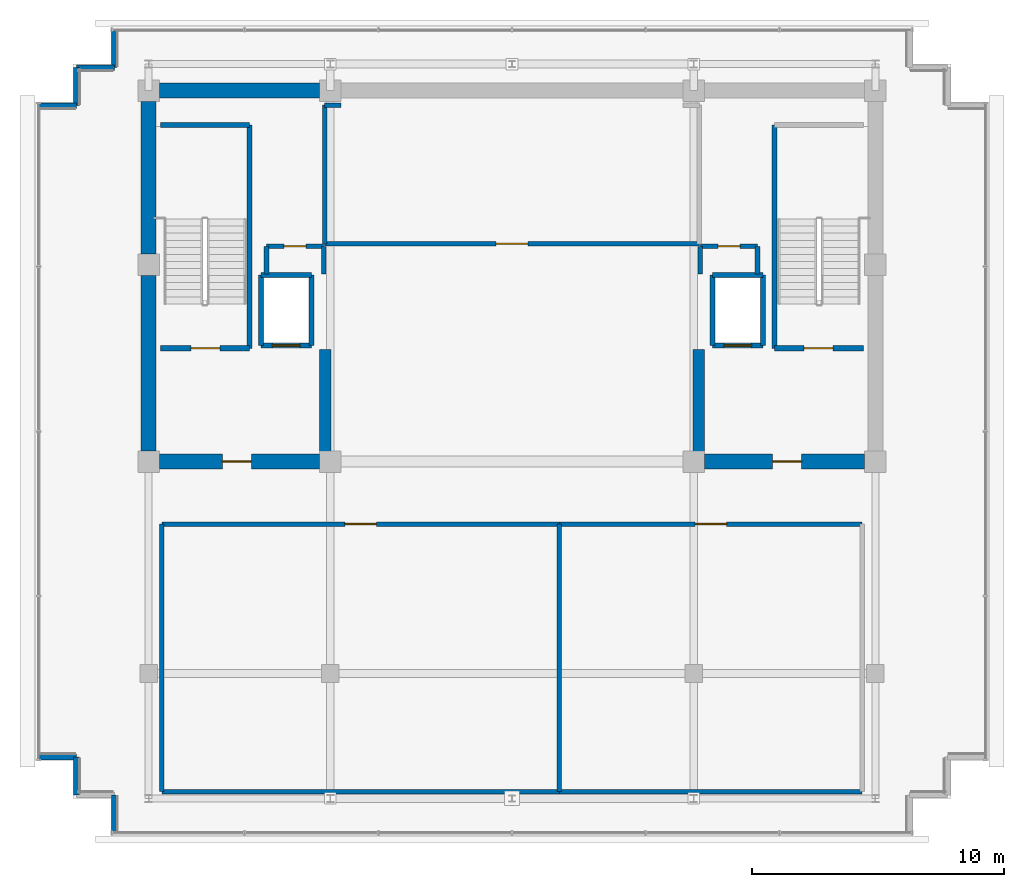
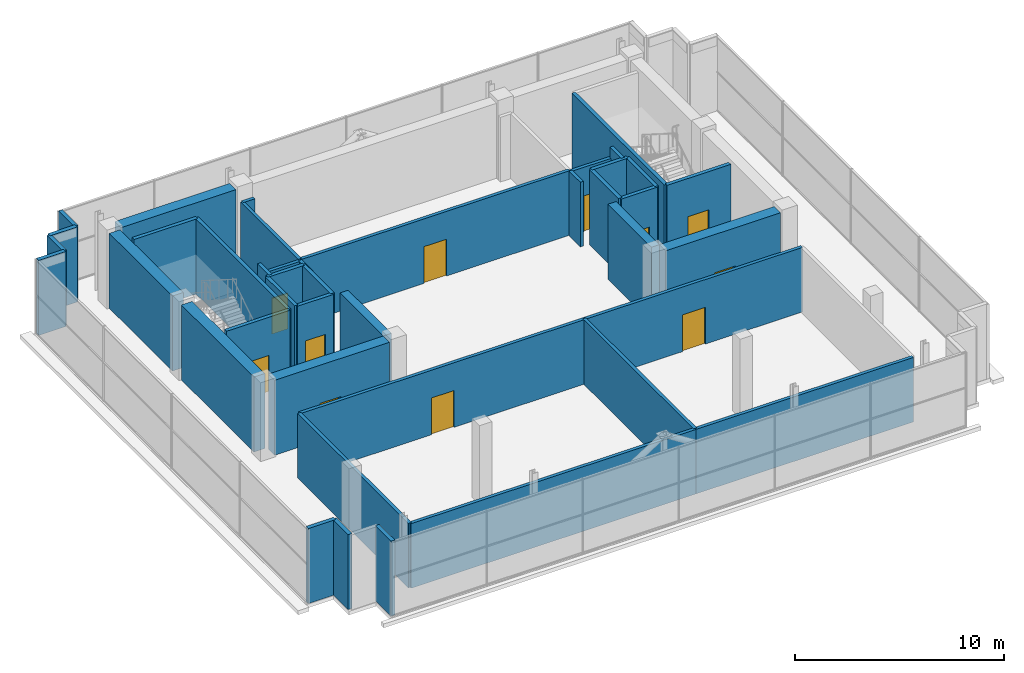
# One storey, part 23 of 26: 42 walls, 11 doors, 11 openings.
"""IFC4 building model written with IfcOpenShell, lengths in metres."""

from ifc_helpers import new_model, si_unit, direction, frame, frame_2d, origin, place, context, subcontext, project, spatial, rectangle, extrude, source, transform, mapped, material, layer, layer_set, type_object, element, fill, save


model = new_model("IFC4")

# Units and contexts
model_context = context("Model", 3, precision=1e-05, world=origin(), true_north=direction((0.0, 1.0)))
body_context = subcontext(model_context, "Body", "Model", "MODEL_VIEW")
ifc_project = project(units=[si_unit("LENGTHUNIT", "METRE"), si_unit("AREAUNIT", "SQUARE_METRE"), si_unit("VOLUMEUNIT", "CUBIC_METRE"), si_unit("PLANEANGLEUNIT", "RADIAN"), si_unit("MASSUNIT", "GRAM", prefix="KILO")], contexts=[model_context])

# Site, building, storey
site_placement = place(None, origin())
site = spatial("IfcSite", under=ifc_project, at=site_placement, CompositionType="ELEMENT")
building_placement = place(site_placement, origin())
building = spatial("IfcBuilding", under=site, at=building_placement, Name="Zarnakvel Exchange Tower", CompositionType="ELEMENT")
storey_placement = place(building_placement, frame((0.0, 0.0, 285.39990234375)))
storey = spatial("IfcBuildingStorey", under=building, at=storey_placement, Name="Crown L80", CompositionType="ELEMENT", Elevation=285.39990234375)

# Walls
ifc_material_1 = material(Name="Concrete C50/60", Category="concrete")
ifc_layer_1 = layer(ifc_material_1, 0.60009765625)
ifc_layer_set_1 = layer_set([ifc_layer_1], Name="Concrete C50/60")
wall_type_1 = type_object("IfcWallType", Name="CW-C5", PredefinedType="SHEAR", material=ifc_layer_set_1)
wall_1_placement = place(storey_placement, frame((-13.97509765625, 13.5, 0.0), z_axis=(0.0, 0.0, 1.0), x_axis=(1.0, 0.0, 0.0)))
element("IfcWall", 1, at=wall_1_placement, inside=storey, type_object=wall_type_1, Name="Crown L80 Rear Core Shear Wall N1 (CW-C5)", PredefinedType="SHEAR", context=body_context, shape_type="SweptSolid", body=[
    extrude(rectangle(XDim=6.35009765625, YDim=0.60009765625, at=frame_2d((3.175048828125, 0.0))), origin(), (0.0, 0.0, 1.0), 4.380126953125),
])
wall_2_placement = place(storey_placement, frame((-14.39990234375, -0.77490234375, 0.0), z_axis=(0.0, 0.0, 1.0), x_axis=(0.0, 1.0, 0.0)))
element("IfcWall", 2, at=wall_2_placement, inside=storey, type_object=wall_type_1, Name="Crown L80 Rear Core Shear Wall W1 (CW-C5)", PredefinedType="SHEAR", context=body_context, shape_type="SweptSolid", body=[
    extrude(rectangle(XDim=6.949951171875, YDim=0.60009765625, at=frame_2d((3.47509765625, 0.0))), origin(), (0.0, 0.0, 1.0), 4.380126953125),
])
wall_3_placement = place(storey_placement, frame((-14.39990234375, 7.02490234375, 0.0), z_axis=(0.0, 0.0, 1.0), x_axis=(0.0, 1.0, 0.0)))
element("IfcWall", 3, at=wall_3_placement, inside=storey, type_object=wall_type_1, Name="Crown L80 Rear Core Shear Wall W2 (CW-C5)", PredefinedType="SHEAR", context=body_context, shape_type="SweptSolid", body=[
    extrude(rectangle(XDim=6.050048828125, YDim=0.60009765625, at=frame_2d((3.02490234375, 0.0))), origin(), (0.0, 0.0, 1.0), 4.380126953125),
])

# Wall, opening, door
wall_4_placement = place(storey_placement, frame((-7.625, -1.199951171875, 0.0), z_axis=(0.0, 0.0, 1.0), x_axis=(-1.0, 0.0, 0.0)))
wall_4 = element("IfcWall", 4, at=wall_4_placement, inside=storey, type_object=wall_type_1, Name="Crown L80 Rear Core Shear Wall SW (CW-C5)", PredefinedType="SHEAR", context=body_context, shape_type="SweptSolid", body=[
    extrude(rectangle(XDim=6.35009765625, YDim=0.60009765625, at=frame_2d((3.175048828125, 0.0))), origin(), (0.0, 0.0, 1.0), 4.380126953125),
])
opening_1_placement = place(wall_4_placement, frame((2.699951171875, 0.0, 0.0)))
opening_1 = element("IfcOpeningElement", 5, at=opening_1_placement, cuts=wall_4, Name="Opening D-Crown L80-03", PredefinedType="OPENING", context=body_context, shape_type="SweptSolid", body=[
    extrude(rectangle(XDim=1.14990234375, YDim=2.14990234375, at=frame_2d((0.574951171875, 1.074951171875))), frame((0.0, 0.31005859375, 0.0), z_axis=(0.0, -1.0, 0.0), x_axis=(1.0, 0.0, 0.0)), (0.0, 0.0, 1.0), 0.6201171875),
])
ifc_material_2 = material(Name="Painted Galvanised Steel S355", Category="steel")
door_type_1 = type_object("IfcDoorType", Name="DT-04", OperationType="NOTDEFINED", PredefinedType="DOOR", material=ifc_material_2)
shared_shape_1 = source(origin(), body_context, "Body", "SweptSolid", [
    extrude(rectangle(XDim=1.14990234375, YDim=2.14990234375, at=frame_2d((0.574951171875, 1.074951171875))), frame((0.0, 0.02490234375, 0.0), z_axis=(0.0, -1.0, 0.0), x_axis=(1.0, 0.0, 0.0)), (0.0, 0.0, 1.0), 0.050048828125),
])
door_1_placement = place(opening_1_placement, origin())
door_1 = element("IfcDoor", 6, at=door_1_placement, inside=storey, type_object=door_type_1, Name="Crown L80 Firefighting Lobby West Door D-Crown L80-03", OperationType="SINGLE_SWING_RIGHT", OverallHeight=2.14990234375, OverallWidth=1.14990234375, PredefinedType="DOOR", context=body_context, shape_type="MappedRepresentation", body=[
    mapped(shared_shape_1, transform((0.0, 0.0, 0.0), x_axis=(1.0, 0.0, 0.0), y_axis=(0.0, 1.0, 0.0), z_axis=(0.0, 0.0, 1.0), scale=1.0)),
])
fill(opening_1, door_1)

wall_5_placement = place(storey_placement, frame((13.97509765625, -1.199951171875, 0.0), z_axis=(0.0, 0.0, 1.0), x_axis=(-1.0, 0.0, 0.0)))
wall_5 = element("IfcWall", 7, at=wall_5_placement, inside=storey, type_object=wall_type_1, Name="Crown L80 Rear Core Shear Wall SE (CW-C5)", PredefinedType="SHEAR", context=body_context, shape_type="SweptSolid", body=[
    extrude(rectangle(XDim=6.35009765625, YDim=0.60009765625, at=frame_2d((3.175048828125, 0.0))), origin(), (0.0, 0.0, 1.0), 4.380126953125),
])
opening_2_placement = place(wall_5_placement, frame((2.5, 0.0, 0.0)))
opening_2 = element("IfcOpeningElement", 8, at=opening_2_placement, cuts=wall_5, Name="Opening D-Crown L80-04", PredefinedType="OPENING", context=body_context, shape_type="SweptSolid", body=[
    extrude(rectangle(XDim=1.14990234375, YDim=2.14990234375, at=frame_2d((0.574951171875, 1.074951171875))), frame((0.0, 0.31005859375, 0.0), z_axis=(0.0, -1.0, 0.0), x_axis=(1.0, 0.0, 0.0)), (0.0, 0.0, 1.0), 0.6201171875),
])
door_2_placement = place(opening_2_placement, origin())
door_2 = element("IfcDoor", 9, at=door_2_placement, inside=storey, type_object=door_type_1, Name="Crown L80 Firefighting Lobby East Door D-Crown L80-04", OperationType="SINGLE_SWING_LEFT", OverallHeight=2.14990234375, OverallWidth=1.14990234375, PredefinedType="DOOR", context=body_context, shape_type="MappedRepresentation", body=[
    mapped(shared_shape_1, transform((0.0, 0.0, 0.0), x_axis=(1.0, 0.0, 0.0), y_axis=(0.0, 1.0, 0.0), z_axis=(0.0, 0.0, 1.0), scale=1.0)),
])
fill(opening_2, door_2)

# Walls
ifc_layer_2 = layer(ifc_material_1, 0.449951171875)
ifc_layer_set_2 = layer_set([ifc_layer_2], Name="Concrete C50/60")
wall_type_2 = type_object("IfcWallType", Name="CW-C6", PredefinedType="SHEAR", material=ifc_layer_set_2)
for number, where, z_axis, x_axis, name in (
    (10, (-7.39990234375, -0.89990234375, 0.0), (0.0, 0.0, 1.0), (0.0, 1.0, 0.0), "Crown L80 Rear Core Shear Wall IW (CW-C6)"),
    (11, (7.39990234375, -0.89990234375, 0.0), (0.0, 0.0, 1.0), (0.0, 1.0, 0.0), "Crown L80 Rear Core Shear Wall IE (CW-C6)"),
):
    element("IfcWall", number, at=place(storey_placement, frame(where, z_axis=z_axis, x_axis=x_axis)), inside=storey, type_object=wall_type_2, Name=name, PredefinedType="SHEAR", context=body_context, shape_type="SweptSolid", body=[
        extrude(rectangle(XDim=4.14990234375, YDim=0.449951171875, at=frame_2d((2.074951171875, 0.0))), origin(), (0.0, 0.0, 1.0), 4.380126953125),
    ])
ifc_material_3 = material(Name="Precast concrete C40/50", Category="concrete")
ifc_layer_3 = layer(ifc_material_3, 0.219970703125)
ifc_layer_set_3 = layer_set([ifc_layer_3], Name="Precast concrete C40/50")
wall_type_3 = type_object("IfcWallType", Name="EW-03", PredefinedType="SOLIDWALL", material=ifc_layer_set_3)
for number, where, z_axis, x_axis, name in (
    (12, (-17.260009765625, 12.909912109375, 0.0), (0.0, 0.0, 1.0), (-1.0, 0.0, 0.0), "Crown L80 Exterior Precast Spandrel Wall EW-Crown L80-C02 (EW-03)"),
    (13, (-17.260009765625, 14.409912109375, 0.0), (0.0, 0.0, 1.0), (0.0, -1.0, 0.0), "Crown L80 Exterior Precast Spandrel Wall EW-Crown L80-C03 (EW-03)"),
    (14, (-15.760009765625, 14.409912109375, 0.0), (0.0, 0.0, 1.0), (-1.0, 0.0, 0.0), "Crown L80 Exterior Precast Spandrel Wall EW-Crown L80-C04 (EW-03)"),
    (15, (-15.760009765625, 15.909912109375, 0.0), (0.0, 0.0, 1.0), (0.0, -1.0, 0.0), "Crown L80 Exterior Precast Spandrel Wall EW-Crown L80-C05 (EW-03)"),
    (16, (-15.760009765625, -14.409912109375, 0.0), (0.0, 0.0, 1.0), (0.0, -1.0, 0.0), "Crown L80 Exterior Precast Spandrel Wall EW-Crown L80-C17 (EW-03)"),
    (17, (-17.260009765625, -12.909912109375, 0.0), (0.0, 0.0, 1.0), (0.0, -1.0, 0.0), "Crown L80 Exterior Precast Spandrel Wall EW-Crown L80-C19 (EW-03)"),
    (18, (-18.760009765625, -12.909912109375, 0.0), (0.0, 0.0, 1.0), (1.0, 0.0, 0.0), "Crown L80 Exterior Precast Spandrel Wall EW-Crown L80-C20 (EW-03)"),
):
    element("IfcWall", number, at=place(storey_placement, frame(where, z_axis=z_axis, x_axis=x_axis)), inside=storey, type_object=wall_type_3, Name=name, PredefinedType="SOLIDWALL", context=body_context, shape_type="SweptSolid", body=[
        extrude(rectangle(XDim=1.5, YDim=0.219970703125, at=frame_2d((0.75, 0.0))), origin(), (0.0, 0.0, 1.0), 4.380126953125),
    ])

# Wall, opening, door
ifc_material_4 = material(Name="Fire-Rated Gypsum Stud Partition", Category="gypsum")
ifc_layer_4 = layer(ifc_material_4, 0.179931640625)
ifc_layer_set_4 = layer_set([ifc_layer_4], Name="Fire-Rated Gypsum Stud Partition")
wall_type_4 = type_object("IfcWallType", Name="PT-02", PredefinedType="PARTITIONING", material=ifc_layer_set_4)
wall_6_placement = place(storey_placement, frame((7.429931640625, 7.429931640625, 0.0), z_axis=(0.0, 0.0, 1.0), x_axis=(-1.0, 0.0, 0.0)))
wall_6 = element("IfcWall", 19, at=wall_6_placement, inside=storey, type_object=wall_type_4, Name="Crown L80 Partition Wall PWALL-Crown L80-007 (PT-02)", PredefinedType="PARTITIONING", context=body_context, shape_type="SweptSolid", body=[
    extrude(rectangle(XDim=14.85986328125, YDim=0.179931640625, at=frame_2d((7.429931640625, 0.0))), origin(), (0.0, 0.0, 1.0), 3.77001953125),
])
opening_3_placement = place(wall_6_placement, frame((6.804931640625, 0.0, 0.0)))
opening_3 = element("IfcOpeningElement", 20, at=opening_3_placement, cuts=wall_6, Name="Opening D-Crown L80-05", PredefinedType="OPENING", context=body_context, shape_type="SweptSolid", body=[
    extrude(rectangle(XDim=1.25, YDim=2.14990234375, at=frame_2d((0.625, 1.074951171875))), frame((0.0, 0.099853515625, 0.0), z_axis=(0.0, -1.0, 0.0), x_axis=(1.0, 0.0, 0.0)), (0.0, 0.0, 1.0), 0.199951171875),
])
door_type_2 = type_object("IfcDoorType", Name="DT-06", OperationType="NOTDEFINED", PredefinedType="DOOR", material=ifc_material_2)
shared_shape_2 = source(origin(), body_context, "Body", "SweptSolid", [
    extrude(rectangle(XDim=1.25, YDim=2.14990234375, at=frame_2d((0.625, 1.074951171875))), frame((0.0, 0.02490234375, 0.0), z_axis=(0.0, -1.0, 0.0), x_axis=(1.0, 0.0, 0.0)), (0.0, 0.0, 1.0), 0.050048828125),
])
door_3_placement = place(opening_3_placement, origin())
door_3 = element("IfcDoor", 21, at=door_3_placement, inside=storey, type_object=door_type_2, Name="Crown L80 High-Rise Lift Machine Room Door D-Crown L80-05", OperationType="SINGLE_SWING_RIGHT", OverallHeight=2.14990234375, OverallWidth=1.25, PredefinedType="DOOR", context=body_context, shape_type="MappedRepresentation", body=[
    mapped(shared_shape_2, transform((0.0, 0.0, 0.0), x_axis=(1.0, 0.0, 0.0), y_axis=(0.0, 1.0, 0.0), z_axis=(0.0, 0.0, 1.0), scale=1.0)),
])
fill(opening_3, door_3)

# Walls
wall_7_placement = place(storey_placement, frame((-7.429931640625, 12.929931640625, 0.0), z_axis=(0.0, 0.0, 1.0), x_axis=(1.0, 0.0, 0.0)))
element("IfcWall", 22, at=wall_7_placement, inside=storey, type_object=wall_type_4, Name="Crown L80 Partition Wall PWALL-Crown L80-008 (PT-02)", PredefinedType="PARTITIONING", context=body_context, shape_type="SweptSolid", body=[
    extrude(rectangle(XDim=0.655029296875, YDim=0.179931640625, at=frame_2d((0.32763671875, 0.0))), origin(), (0.0, 0.0, 1.0), 3.77001953125),
])
wall_8_placement = place(storey_placement, frame((-7.429931640625, 7.429931640625, 0.0), z_axis=(0.0, 0.0, 1.0), x_axis=(0.0, 1.0, 0.0)))
element("IfcWall", 23, at=wall_8_placement, inside=storey, type_object=wall_type_4, Name="Crown L80 Partition Wall PWALL-Crown L80-010 (PT-02)", PredefinedType="PARTITIONING", context=body_context, shape_type="SweptSolid", body=[
    extrude(rectangle(XDim=5.5, YDim=0.179931640625, at=frame_2d((2.75, 0.0))), origin(), (0.0, 0.0, 1.0), 3.77001953125),
])

# Wall, opening, door
wall_9_placement = place(storey_placement, frame((-9.72998046875, 7.330078125, 0.0), z_axis=(0.0, 0.0, 1.0), x_axis=(1.0, 0.0, 0.0)))
wall_9 = element("IfcWall", 24, at=wall_9_placement, inside=storey, type_object=wall_type_4, Name="Crown L80 Partition Wall PWALL-Crown L80-012 (PT-02)", PredefinedType="PARTITIONING", context=body_context, shape_type="SweptSolid", body=[
    extrude(rectangle(XDim=2.260009765625, YDim=0.179931640625, at=frame_2d((1.1298828125, 0.0))), origin(), (0.0, 0.0, 1.0), 3.77001953125),
])
opening_4_placement = place(wall_9_placement, frame((0.68994140625, 0.0, 0.0)))
opening_4 = element("IfcOpeningElement", 25, at=opening_4_placement, cuts=wall_9, Name="Opening D-Crown L80-08", PredefinedType="OPENING", context=body_context, shape_type="SweptSolid", body=[
    extrude(rectangle(XDim=0.8798828125, YDim=2.10009765625, at=frame_2d((0.43994140625, 1.050048828125))), frame((0.0, 0.099853515625, 0.0), z_axis=(0.0, -1.0, 0.0), x_axis=(1.0, 0.0, 0.0)), (0.0, 0.0, 1.0), 0.199951171875),
])
door_type_3 = type_object("IfcDoorType", Name="DT-08", OperationType="NOTDEFINED", PredefinedType="DOOR", material=ifc_material_2)
shared_shape_3 = source(origin(), body_context, "Body", "SweptSolid", [
    extrude(rectangle(XDim=0.8798828125, YDim=2.10009765625, at=frame_2d((0.43994140625, 1.050048828125))), frame((0.0, 0.02490234375, 0.0), z_axis=(0.0, -1.0, 0.0), x_axis=(1.0, 0.0, 0.0)), (0.0, 0.0, 1.0), 0.050048828125),
])
door_4_placement = place(opening_4_placement, origin())
door_4 = element("IfcDoor", 26, at=door_4_placement, inside=storey, type_object=door_type_3, Name="Crown L80 Electrical Riser Door D-Crown L80-08", OperationType="SINGLE_SWING_LEFT", OverallHeight=2.10009765625, OverallWidth=0.8798828125, PredefinedType="DOOR", context=body_context, shape_type="MappedRepresentation", body=[
    mapped(shared_shape_3, transform((0.0, 0.0, 0.0), x_axis=(1.0, 0.0, 0.0), y_axis=(0.0, 1.0, 0.0), z_axis=(0.0, 0.0, 1.0), scale=1.0)),
])
fill(opening_4, door_4)

# Walls
wall_10_placement = place(storey_placement, frame((-9.72998046875, 6.239990234375, 0.0), z_axis=(0.0, 0.0, 1.0), x_axis=(0.0, 1.0, 0.0)))
element("IfcWall", 27, at=wall_10_placement, inside=storey, type_object=wall_type_4, Name="Crown L80 Partition Wall PWALL-Crown L80-013 (PT-02)", PredefinedType="PARTITIONING", context=body_context, shape_type="SweptSolid", body=[
    extrude(rectangle(XDim=1.090087890625, YDim=0.179931640625, at=frame_2d((0.544921875, 0.0))), origin(), (0.0, 0.0, 1.0), 4.380126953125),
])
wall_11_placement = place(storey_placement, frame((-7.469970703125, 7.330078125, 0.0), z_axis=(0.0, 0.0, 1.0), x_axis=(0.0, -1.0, 0.0)))
element("IfcWall", 28, at=wall_11_placement, inside=storey, type_object=wall_type_4, Name="Crown L80 Partition Wall PWALL-Crown L80-014 (PT-02)", PredefinedType="PARTITIONING", context=body_context, shape_type="SweptSolid", body=[
    extrude(rectangle(XDim=1.090087890625, YDim=0.179931640625, at=frame_2d((0.544921875, 0.0))), origin(), (0.0, 0.0, 1.0), 3.77001953125),
])

# Wall, opening, door
wall_12_placement = place(storey_placement, frame((7.469970703125, 7.330078125, 0.0), z_axis=(0.0, 0.0, 1.0), x_axis=(1.0, 0.0, 0.0)))
wall_12 = element("IfcWall", 29, at=wall_12_placement, inside=storey, type_object=wall_type_4, Name="Crown L80 Partition Wall PWALL-Crown L80-015 (PT-02)", PredefinedType="PARTITIONING", context=body_context, shape_type="SweptSolid", body=[
    extrude(rectangle(XDim=2.260009765625, YDim=0.179931640625, at=frame_2d((1.1298828125, 0.0))), origin(), (0.0, 0.0, 1.0), 3.77001953125),
])
opening_5_placement = place(wall_12_placement, frame((0.68994140625, 0.0, 0.0)))
opening_5 = element("IfcOpeningElement", 30, at=opening_5_placement, cuts=wall_12, Name="Opening D-Crown L80-09", PredefinedType="OPENING", context=body_context, shape_type="SweptSolid", body=[
    extrude(rectangle(XDim=0.8798828125, YDim=2.10009765625, at=frame_2d((0.43994140625, 1.050048828125))), frame((0.0, 0.099853515625, 0.0), z_axis=(0.0, -1.0, 0.0), x_axis=(1.0, 0.0, 0.0)), (0.0, 0.0, 1.0), 0.199951171875),
])
door_5_placement = place(opening_5_placement, origin())
door_5 = element("IfcDoor", 31, at=door_5_placement, inside=storey, type_object=door_type_3, Name="Crown L80 Telecom Riser Door D-Crown L80-09", OperationType="SINGLE_SWING_RIGHT", OverallHeight=2.10009765625, OverallWidth=0.8798828125, PredefinedType="DOOR", context=body_context, shape_type="MappedRepresentation", body=[
    mapped(shared_shape_3, transform((0.0, 0.0, 0.0), x_axis=(1.0, 0.0, 0.0), y_axis=(0.0, 1.0, 0.0), z_axis=(0.0, 0.0, 1.0), scale=1.0)),
])
fill(opening_5, door_5)

# Walls
wall_13_placement = place(storey_placement, frame((7.469970703125, 6.239990234375, 0.0), z_axis=(0.0, 0.0, 1.0), x_axis=(0.0, 1.0, 0.0)))
element("IfcWall", 32, at=wall_13_placement, inside=storey, type_object=wall_type_4, Name="Crown L80 Partition Wall PWALL-Crown L80-016 (PT-02)", PredefinedType="PARTITIONING", context=body_context, shape_type="SweptSolid", body=[
    extrude(rectangle(XDim=1.090087890625, YDim=0.179931640625, at=frame_2d((0.544921875, 0.0))), origin(), (0.0, 0.0, 1.0), 3.77001953125),
])
wall_14_placement = place(storey_placement, frame((9.72998046875, 7.330078125, 0.0), z_axis=(0.0, 0.0, 1.0), x_axis=(0.0, -1.0, 0.0)))
element("IfcWall", 33, at=wall_14_placement, inside=storey, type_object=wall_type_4, Name="Crown L80 Partition Wall PWALL-Crown L80-017 (PT-02)", PredefinedType="PARTITIONING", context=body_context, shape_type="SweptSolid", body=[
    extrude(rectangle(XDim=1.090087890625, YDim=0.179931640625, at=frame_2d((0.544921875, 0.0))), origin(), (0.0, 0.0, 1.0), 4.380126953125),
])
wall_15_placement = place(storey_placement, frame((1.8798828125, -14.280029296875, 0.0), z_axis=(0.0, 0.0, 1.0), x_axis=(-1.0, 0.0, 0.0)))
element("IfcWall", 34, at=wall_15_placement, inside=storey, type_object=wall_type_4, Name="Crown L80 Partition Wall PWALL-Crown L80-018 (PT-02)", PredefinedType="PARTITIONING", context=body_context, shape_type="SweptSolid", body=[
    extrude(rectangle(XDim=15.759765625, YDim=0.179931640625, at=frame_2d((7.8798828125, 0.0))), origin(), (0.0, 0.0, 1.0), 3.77001953125),
])

# Wall, opening, door
wall_16_placement = place(storey_placement, frame((-13.8798828125, -3.679931640625, 0.0), z_axis=(0.0, 0.0, 1.0), x_axis=(1.0, 0.0, 0.0)))
wall_16 = element("IfcWall", 35, at=wall_16_placement, inside=storey, type_object=wall_type_4, Name="Crown L80 Partition Wall PWALL-Crown L80-019 (PT-02)", PredefinedType="PARTITIONING", context=body_context, shape_type="SweptSolid", body=[
    extrude(rectangle(XDim=15.759765625, YDim=0.179931640625, at=frame_2d((7.8798828125, 0.0))), origin(), (0.0, 0.0, 1.0), 3.77001953125),
])
opening_6_placement = place(wall_16_placement, frame((7.2548828125, 0.0, 0.0)))
opening_6 = element("IfcOpeningElement", 36, at=opening_6_placement, cuts=wall_16, Name="Opening D-Crown L80-06", PredefinedType="OPENING", context=body_context, shape_type="SweptSolid", body=[
    extrude(rectangle(XDim=1.25, YDim=2.14990234375, at=frame_2d((0.625, 1.074951171875))), frame((0.0, 0.099853515625, 0.0), z_axis=(0.0, -1.0, 0.0), x_axis=(1.0, 0.0, 0.0)), (0.0, 0.0, 1.0), 0.199951171875),
])
door_6_placement = place(opening_6_placement, origin())
door_6 = element("IfcDoor", 37, at=door_6_placement, inside=storey, type_object=door_type_2, Name="Crown L80 Heat Recovery Pump Plant Room Door D-Crown L80-06", OperationType="SINGLE_SWING_LEFT", OverallHeight=2.14990234375, OverallWidth=1.25, PredefinedType="DOOR", context=body_context, shape_type="MappedRepresentation", body=[
    mapped(shared_shape_2, transform((0.0, 0.0, 0.0), x_axis=(1.0, 0.0, 0.0), y_axis=(0.0, 1.0, 0.0), z_axis=(0.0, 0.0, 1.0), scale=1.0)),
])
fill(opening_6, door_6)

# Walls
for number, where, z_axis, x_axis, name in (
    (38, (-13.8798828125, -14.280029296875, 0.0), (0.0, 0.0, 1.0), (0.0, 1.0, 0.0), "Crown L80 Partition Wall PWALL-Crown L80-020 (PT-02)"),
    (39, (1.8798828125, -3.679931640625, 0.0), (0.0, 0.0, 1.0), (0.0, -1.0, 0.0), "Crown L80 Partition Wall PWALL-Crown L80-021 (PT-02)"),
):
    element("IfcWall", number, at=place(storey_placement, frame(where, z_axis=z_axis, x_axis=x_axis)), inside=storey, type_object=wall_type_4, Name=name, PredefinedType="PARTITIONING", context=body_context, shape_type="SweptSolid", body=[
        extrude(rectangle(XDim=10.60009765625, YDim=0.179931640625, at=frame_2d((5.300048828125, 0.0))), origin(), (0.0, 0.0, 1.0), 3.77001953125),
    ])
wall_17_placement = place(storey_placement, frame((13.8798828125, -14.280029296875, 0.0), z_axis=(0.0, 0.0, 1.0), x_axis=(-1.0, 0.0, 0.0)))
element("IfcWall", 40, at=wall_17_placement, inside=storey, type_object=wall_type_4, Name="Crown L80 Partition Wall PWALL-Crown L80-022 (PT-02)", PredefinedType="PARTITIONING", context=body_context, shape_type="SweptSolid", body=[
    extrude(rectangle(XDim=12.0, YDim=0.179931640625, at=frame_2d((6.0, 0.0))), origin(), (0.0, 0.0, 1.0), 3.77001953125),
])

# Wall, opening, door
wall_18_placement = place(storey_placement, frame((1.8798828125, -3.679931640625, 0.0), z_axis=(0.0, 0.0, 1.0), x_axis=(1.0, 0.0, 0.0)))
wall_18 = element("IfcWall", 41, at=wall_18_placement, inside=storey, type_object=wall_type_4, Name="Crown L80 Partition Wall PWALL-Crown L80-023 (PT-02)", PredefinedType="PARTITIONING", context=body_context, shape_type="SweptSolid", body=[
    extrude(rectangle(XDim=12.0, YDim=0.179931640625, at=frame_2d((6.0, 0.0))), origin(), (0.0, 0.0, 1.0), 3.77001953125),
])
opening_7_placement = place(wall_18_placement, frame((5.375, 0.0, 0.0)))
opening_7 = element("IfcOpeningElement", 42, at=opening_7_placement, cuts=wall_18, Name="Opening D-Crown L80-07", PredefinedType="OPENING", context=body_context, shape_type="SweptSolid", body=[
    extrude(rectangle(XDim=1.25, YDim=2.14990234375, at=frame_2d((0.625, 1.074951171875))), frame((0.0, 0.099853515625, 0.0), z_axis=(0.0, -1.0, 0.0), x_axis=(1.0, 0.0, 0.0)), (0.0, 0.0, 1.0), 0.199951171875),
])
door_7_placement = place(opening_7_placement, origin())
door_7 = element("IfcDoor", 43, at=door_7_placement, inside=storey, type_object=door_type_2, Name="Crown L80 Condensate Recovery Treatment Plant Door D-Crown L80-07", OperationType="SINGLE_SWING_RIGHT", OverallHeight=2.14990234375, OverallWidth=1.25, PredefinedType="DOOR", context=body_context, shape_type="MappedRepresentation", body=[
    mapped(shared_shape_2, transform((0.0, 0.0, 0.0), x_axis=(1.0, 0.0, 0.0), y_axis=(0.0, 1.0, 0.0), z_axis=(0.0, 0.0, 1.0), scale=1.0)),
])
fill(opening_7, door_7)

ifc_material_5 = material(Name="Concrete C40/50", Category="concrete")
ifc_layer_5 = layer(ifc_material_5, 0.199951171875)
ifc_layer_set_5 = layer_set([ifc_layer_5], Name="Concrete C40/50")
wall_type_5 = type_object("IfcWallType", Name="SW-01", PredefinedType="SOLIDWALL", material=ifc_layer_set_5)
wall_19_placement = place(storey_placement, frame((-7.949951171875, 3.39990234375, 0.0), z_axis=(0.0, 0.0, 1.0), x_axis=(-1.0, 0.0, 0.0)))
wall_19 = element("IfcWall", 44, at=wall_19_placement, inside=storey, type_object=wall_type_5, Name="Crown L80 FL-01 Hoistway Wall South", PredefinedType="SOLIDWALL", context=body_context, shape_type="SweptSolid", body=[
    extrude(rectangle(XDim=2.0, YDim=0.199951171875, at=frame_2d((1.0, 0.0))), origin(), (0.0, 0.0, 1.0), 4.380126953125),
])
opening_8_placement = place(wall_19_placement, frame((0.449951171875, 0.0, 0.0)))
opening_8 = element("IfcOpeningElement", 45, at=opening_8_placement, cuts=wall_19, Name="Opening LD-FL-01-Crown L80", PredefinedType="OPENING", context=body_context, shape_type="SweptSolid", body=[
    extrude(rectangle(XDim=1.10009765625, YDim=2.199951171875, at=frame_2d((0.550048828125, 1.10009765625))), frame((0.0, 0.10986328125, 0.0), z_axis=(0.0, -1.0, 0.0), x_axis=(1.0, 0.0, 0.0)), (0.0, 0.0, 1.0), 0.219970703125),
])
ifc_material_6 = material(Name="Brushed Stainless Steel", Category="steel")
door_type_4 = type_object("IfcDoorType", Name="LDT-01", OperationType="NOTDEFINED", PredefinedType="DOOR", material=ifc_material_6)
shared_shape_4 = source(origin(), body_context, "Body", "SweptSolid", [
    extrude(rectangle(XDim=1.10009765625, YDim=2.199951171875, at=frame_2d((0.550048828125, 1.10009765625))), frame((0.0, 0.02490234375, 0.0), z_axis=(0.0, -1.0, 0.0), x_axis=(1.0, 0.0, 0.0)), (0.0, 0.0, 1.0), 0.050048828125),
])
door_8_placement = place(opening_8_placement, origin())
door_8 = element("IfcDoor", 46, at=door_8_placement, inside=storey, type_object=door_type_4, Name="Crown L80 FL-01 Lift Landing Door LD-FL-01-Crown L80", OperationType="DOUBLE_DOOR_SLIDING", OverallHeight=2.199951171875, OverallWidth=1.10009765625, PredefinedType="DOOR", context=body_context, shape_type="MappedRepresentation", body=[
    mapped(shared_shape_4, transform((0.0, 0.0, 0.0), x_axis=(1.0, 0.0, 0.0), y_axis=(0.0, 1.0, 0.0), z_axis=(0.0, 0.0, 1.0), scale=1.0)),
])
fill(opening_8, door_8)

# Walls
wall_20_placement = place(storey_placement, frame((-9.949951171875, 6.199951171875, 0.0), z_axis=(0.0, 0.0, 1.0), x_axis=(1.0, 0.0, 0.0)))
element("IfcWall", 47, at=wall_20_placement, inside=storey, type_object=wall_type_5, Name="Crown L80 FL-01 Hoistway Wall North", PredefinedType="SOLIDWALL", context=body_context, shape_type="SweptSolid", body=[
    extrude(rectangle(XDim=2.0, YDim=0.199951171875, at=frame_2d((1.0, 0.0))), origin(), (0.0, 0.0, 1.0), 4.380126953125),
])
for number, where, z_axis, x_axis, name in (
    (48, (-9.949951171875, 3.39990234375, 0.0), (0.0, 0.0, 1.0), (0.0, 1.0, 0.0), "Crown L80 FL-01 Hoistway Wall West"),
    (49, (-7.949951171875, 6.199951171875, 0.0), (0.0, 0.0, 1.0), (0.0, -1.0, 0.0), "Crown L80 FL-01 Hoistway Wall East"),
):
    element("IfcWall", number, at=place(storey_placement, frame(where, z_axis=z_axis, x_axis=x_axis)), inside=storey, type_object=wall_type_5, Name=name, PredefinedType="SOLIDWALL", context=body_context, shape_type="SweptSolid", body=[
        extrude(rectangle(XDim=2.800048828125, YDim=0.199951171875, at=frame_2d((1.39990234375, 0.0))), origin(), (0.0, 0.0, 1.0), 4.380126953125),
    ])

# Wall, opening, door
wall_21_placement = place(storey_placement, frame((9.949951171875, 3.39990234375, 0.0), z_axis=(0.0, 0.0, 1.0), x_axis=(-1.0, 0.0, 0.0)))
wall_21 = element("IfcWall", 50, at=wall_21_placement, inside=storey, type_object=wall_type_5, Name="Crown L80 FL-02 Hoistway Wall South", PredefinedType="SOLIDWALL", context=body_context, shape_type="SweptSolid", body=[
    extrude(rectangle(XDim=2.0, YDim=0.199951171875, at=frame_2d((1.0, 0.0))), origin(), (0.0, 0.0, 1.0), 4.380126953125),
])
opening_9_placement = place(wall_21_placement, frame((0.449951171875, 0.0, 0.0)))
opening_9 = element("IfcOpeningElement", 51, at=opening_9_placement, cuts=wall_21, Name="Opening LD-FL-02-Crown L80", PredefinedType="OPENING", context=body_context, shape_type="SweptSolid", body=[
    extrude(rectangle(XDim=1.10009765625, YDim=2.199951171875, at=frame_2d((0.550048828125, 1.10009765625))), frame((0.0, 0.10986328125, 0.0), z_axis=(0.0, -1.0, 0.0), x_axis=(1.0, 0.0, 0.0)), (0.0, 0.0, 1.0), 0.219970703125),
])
door_9_placement = place(opening_9_placement, origin())
door_9 = element("IfcDoor", 52, at=door_9_placement, inside=storey, type_object=door_type_4, Name="Crown L80 FL-02 Lift Landing Door LD-FL-02-Crown L80", OperationType="DOUBLE_DOOR_SLIDING", OverallHeight=2.199951171875, OverallWidth=1.10009765625, PredefinedType="DOOR", context=body_context, shape_type="MappedRepresentation", body=[
    mapped(shared_shape_4, transform((0.0, 0.0, 0.0), x_axis=(1.0, 0.0, 0.0), y_axis=(0.0, 1.0, 0.0), z_axis=(0.0, 0.0, 1.0), scale=1.0)),
])
fill(opening_9, door_9)

# Walls
wall_22_placement = place(storey_placement, frame((7.949951171875, 6.199951171875, 0.0), z_axis=(0.0, 0.0, 1.0), x_axis=(1.0, 0.0, 0.0)))
element("IfcWall", 53, at=wall_22_placement, inside=storey, type_object=wall_type_5, Name="Crown L80 FL-02 Hoistway Wall North", PredefinedType="SOLIDWALL", context=body_context, shape_type="SweptSolid", body=[
    extrude(rectangle(XDim=2.0, YDim=0.199951171875, at=frame_2d((1.0, 0.0))), origin(), (0.0, 0.0, 1.0), 4.380126953125),
])
for number, where, z_axis, x_axis, name in (
    (54, (7.949951171875, 3.39990234375, 0.0), (0.0, 0.0, 1.0), (0.0, 1.0, 0.0), "Crown L80 FL-02 Hoistway Wall West"),
    (55, (9.949951171875, 6.199951171875, 0.0), (0.0, 0.0, 1.0), (0.0, -1.0, 0.0), "Crown L80 FL-02 Hoistway Wall East"),
):
    element("IfcWall", number, at=place(storey_placement, frame(where, z_axis=z_axis, x_axis=x_axis)), inside=storey, type_object=wall_type_5, Name=name, PredefinedType="SOLIDWALL", context=body_context, shape_type="SweptSolid", body=[
        extrude(rectangle(XDim=2.800048828125, YDim=0.199951171875, at=frame_2d((1.39990234375, 0.0))), origin(), (0.0, 0.0, 1.0), 4.380126953125),
    ])

# Wall, opening, door
ifc_layer_6 = layer(ifc_material_5, 0.199951171875)
ifc_layer_set_6 = layer_set([ifc_layer_6], Name="Concrete C40/50")
wall_type_6 = type_object("IfcWallType", Name="SW-02", PredefinedType="SOLIDWALL", material=ifc_layer_set_6)
wall_23_placement = place(storey_placement, frame((-10.409912109375, 3.2900390625, 0.0), z_axis=(0.0, 0.0, 1.0), x_axis=(-1.0, 0.0, 0.0)))
wall_23 = element("IfcWall", 56, at=wall_23_placement, inside=storey, type_object=wall_type_6, Name="Crown L80 Stairwell Core Wall PWALL-Crown L80-001 (SW-02)", PredefinedType="SOLIDWALL", context=body_context, shape_type="SweptSolid", body=[
    extrude(rectangle(XDim=3.52001953125, YDim=0.199951171875, at=frame_2d((1.760009765625, 0.0))), origin(), (0.0, 0.0, 1.0), 4.380126953125),
])
opening_10_placement = place(wall_23_placement, frame((1.1650390625, 0.0, 0.0)))
opening_10 = element("IfcOpeningElement", 57, at=opening_10_placement, cuts=wall_23, Name="Opening D-Crown L80-01", PredefinedType="OPENING", context=body_context, shape_type="SweptSolid", body=[
    extrude(rectangle(XDim=1.14990234375, YDim=2.14990234375, at=frame_2d((0.574951171875, 1.074951171875))), frame((0.0, 0.10986328125, 0.0), z_axis=(0.0, -1.0, 0.0), x_axis=(1.0, 0.0, 0.0)), (0.0, 0.0, 1.0), 0.219970703125),
])
door_10_placement = place(opening_10_placement, origin())
door_10 = element("IfcDoor", 58, at=door_10_placement, inside=storey, type_object=door_type_1, Name="Crown L80 Stairwell ST-01 Door D-Crown L80-01", OperationType="SINGLE_SWING_RIGHT", OverallHeight=2.14990234375, OverallWidth=1.14990234375, PredefinedType="DOOR", context=body_context, shape_type="MappedRepresentation", body=[
    mapped(shared_shape_1, transform((0.0, 0.0, 0.0), x_axis=(1.0, 0.0, 0.0), y_axis=(0.0, 1.0, 0.0), z_axis=(0.0, 0.0, 1.0), scale=1.0)),
])
fill(opening_10, door_10)

# Walls
wall_24_placement = place(storey_placement, frame((-13.929931640625, 12.1298828125, 0.0), z_axis=(0.0, 0.0, 1.0), x_axis=(1.0, 0.0, 0.0)))
element("IfcWall", 59, at=wall_24_placement, inside=storey, type_object=wall_type_6, Name="Crown L80 Stairwell Core Wall PWALL-Crown L80-002 (SW-02)", PredefinedType="SOLIDWALL", context=body_context, shape_type="SweptSolid", body=[
    extrude(rectangle(XDim=3.52001953125, YDim=0.199951171875, at=frame_2d((1.760009765625, 0.0))), origin(), (0.0, 0.0, 1.0), 4.380126953125),
])
wall_25_placement = place(storey_placement, frame((-10.409912109375, 12.1298828125, 0.0), z_axis=(0.0, 0.0, 1.0), x_axis=(0.0, -1.0, 0.0)))
element("IfcWall", 60, at=wall_25_placement, inside=storey, type_object=wall_type_6, Name="Crown L80 Stairwell Core Wall PWALL-Crown L80-003 (SW-02)", PredefinedType="SOLIDWALL", context=body_context, shape_type="SweptSolid", body=[
    extrude(rectangle(XDim=8.83984375, YDim=0.199951171875, at=frame_2d((4.419921875, 0.0))), origin(), (0.0, 0.0, 1.0), 4.380126953125),
])

# Wall, opening, door
wall_26_placement = place(storey_placement, frame((13.929931640625, 3.2900390625, 0.0), z_axis=(0.0, 0.0, 1.0), x_axis=(-1.0, 0.0, 0.0)))
wall_26 = element("IfcWall", 61, at=wall_26_placement, inside=storey, type_object=wall_type_6, Name="Crown L80 Stairwell Core Wall PWALL-Crown L80-004 (SW-02)", PredefinedType="SOLIDWALL", context=body_context, shape_type="SweptSolid", body=[
    extrude(rectangle(XDim=3.52001953125, YDim=0.199951171875, at=frame_2d((1.760009765625, 0.0))), origin(), (0.0, 0.0, 1.0), 4.380126953125),
])
opening_11_placement = place(wall_26_placement, frame((1.205078125, 0.0, 0.0)))
opening_11 = element("IfcOpeningElement", 62, at=opening_11_placement, cuts=wall_26, Name="Opening D-Crown L80-02", PredefinedType="OPENING", context=body_context, shape_type="SweptSolid", body=[
    extrude(rectangle(XDim=1.14990234375, YDim=2.14990234375, at=frame_2d((0.574951171875, 1.074951171875))), frame((0.0, 0.10986328125, 0.0), z_axis=(0.0, -1.0, 0.0), x_axis=(1.0, 0.0, 0.0)), (0.0, 0.0, 1.0), 0.219970703125),
])
door_11_placement = place(opening_11_placement, origin())
door_11 = element("IfcDoor", 63, at=door_11_placement, inside=storey, type_object=door_type_1, Name="Crown L80 Stairwell ST-02 Door D-Crown L80-02", OperationType="SINGLE_SWING_LEFT", OverallHeight=2.14990234375, OverallWidth=1.14990234375, PredefinedType="DOOR", context=body_context, shape_type="MappedRepresentation", body=[
    mapped(shared_shape_1, transform((0.0, 0.0, 0.0), x_axis=(1.0, 0.0, 0.0), y_axis=(0.0, 1.0, 0.0), z_axis=(0.0, 0.0, 1.0), scale=1.0)),
])
fill(opening_11, door_11)

# Wall
wall_27_placement = place(storey_placement, frame((10.409912109375, 3.2900390625, 0.0), z_axis=(0.0, 0.0, 1.0), x_axis=(0.0, 1.0, 0.0)))
element("IfcWall", 64, at=wall_27_placement, inside=storey, type_object=wall_type_6, Name="Crown L80 Stairwell Core Wall PWALL-Crown L80-006 (SW-02)", PredefinedType="SOLIDWALL", context=body_context, shape_type="SweptSolid", body=[
    extrude(rectangle(XDim=8.83984375, YDim=0.199951171875, at=frame_2d((4.419921875, 0.0))), origin(), (0.0, 0.0, 1.0), 4.380126953125),
])

save(model, "model.ifc")
